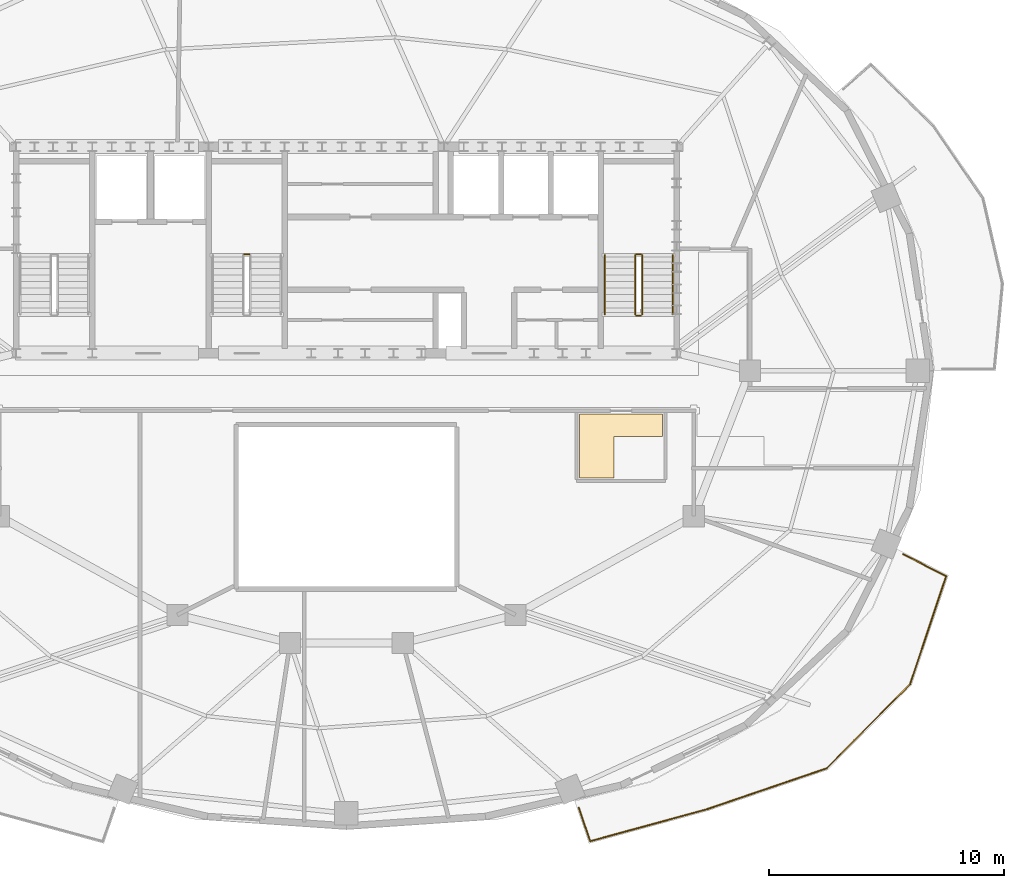
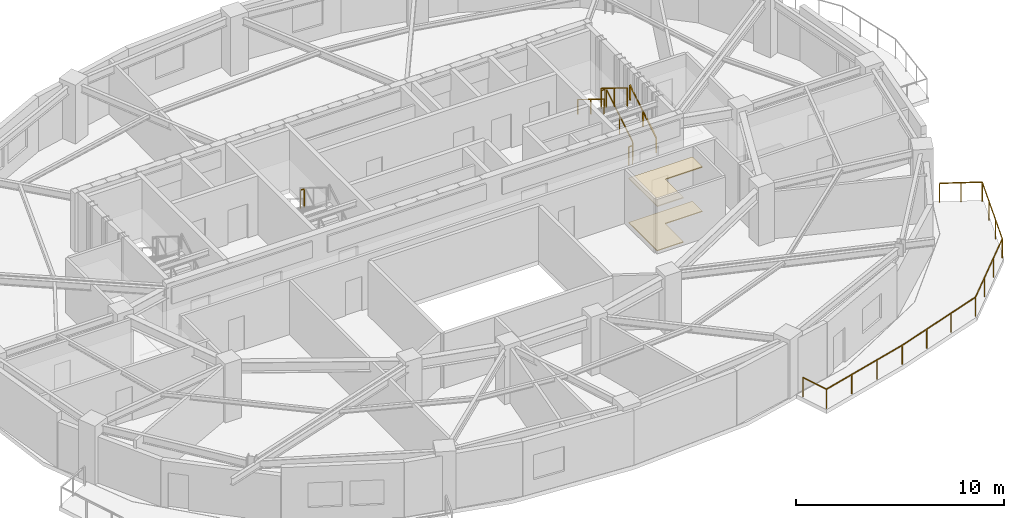
# One storey, part 9 of 10: 8 railings, 2 coverings.
"""IFC4 building model written with IfcOpenShell, lengths in metres."""

from ifc_helpers import new_model, si_unit, direction, frame, origin, origin_2d, place, context, subcontext, project, spatial, polyline, rectangle, outline, extrude, material, layer, layer_set, type_object, element, save


model = new_model("IFC4")

# Units and contexts
model_context = context("Model", 3, precision=1e-05, world=origin(), true_north=direction((0.0, 1.0)))
body_context = subcontext(model_context, "Body", "Model", "MODEL_VIEW")
ifc_project = project(units=[si_unit("LENGTHUNIT", "METRE"), si_unit("AREAUNIT", "SQUARE_METRE"), si_unit("VOLUMEUNIT", "CUBIC_METRE"), si_unit("PLANEANGLEUNIT", "RADIAN"), si_unit("MASSUNIT", "GRAM", prefix="KILO")], contexts=[model_context])

# Site, building, storey
site_placement = place(None, origin())
site = spatial("IfcSite", under=ifc_project, at=site_placement, CompositionType="ELEMENT")
building_placement = place(site_placement, origin())
building = spatial("IfcBuilding", under=site, at=building_placement, Name="Haldorwick Loom Tower", CompositionType="ELEMENT")
storey_placement = place(building_placement, frame((0.0, 0.0, 259.199951171875)))
storey = spatial("IfcBuildingStorey", under=building, at=storey_placement, Name="L70", CompositionType="ELEMENT", Elevation=259.199951171875)

# Coverings
ifc_material_1 = material(Name="Mineral Fibre Acoustic Ceiling Tile")
ifc_layer_1 = layer(ifc_material_1, 0.054931640625, Name="Mineral Fibre Acoustic Ceiling Tile")
ifc_layer_set_1 = layer_set([ifc_layer_1], Name="Mineral Fibre Acoustic Ceiling Tile")
covering_type_1 = type_object("IfcCoveringType", Name="ARC-COV-CEIL2", PredefinedType="CEILING", material=ifc_layer_set_1)
covering_1_placement = place(storey_placement, frame((0.0, 0.0, 2.594970703125)))
element("IfcCovering", 1, at=covering_1_placement, inside=storey, type_object=covering_type_1, Name="L70 Acoustic Suspended Ceiling 2", PredefinedType="CEILING", context=body_context, shape_type="SweptSolid", body=[
    extrude(outline(polyline([(45.929931640625, 24.159912109375), (45.929931640625, 21.429931640625), (47.39990234375, 21.429931640625), (47.39990234375, 23.199951171875), (49.469970703125, 23.199951171875), (49.469970703125, 24.159912109375), (45.929931640625, 24.159912109375)])), origin(), (0.0, 0.0, 1.0), 0.05517578125),
])
ifc_material_2 = material(Name="Polished Aggregate Terrazzo Finish")
ifc_layer_2 = layer(ifc_material_2, 0.044921875, Name="Polished Aggregate Terrazzo Finish")
ifc_layer_set_2 = layer_set([ifc_layer_2], Name="Polished Aggregate Terrazzo Finish")
covering_type_2 = type_object("IfcCoveringType", Name="ARC-COV-FLOOR2", PredefinedType="FLOORING", material=ifc_layer_set_2)
covering_2_placement = place(storey_placement, origin())
element("IfcCovering", 2, at=covering_2_placement, inside=storey, type_object=covering_type_2, Name="L70 Floor Finish 2", PredefinedType="FLOORING", context=body_context, shape_type="SweptSolid", body=[
    extrude(outline(polyline([(45.929931640625, 24.159912109375), (45.929931640625, 21.429931640625), (47.39990234375, 21.429931640625), (47.39990234375, 23.199951171875), (49.469970703125, 23.199951171875), (49.469970703125, 24.159912109375), (45.929931640625, 24.159912109375)])), origin(), (0.0, 0.0, 1.0), 0.045166015625),
])

# Railings
ifc_material_3 = material(Name="Galvanized Steel CSA G40.21 350W", Category="steel")
railing_type_1 = type_object("IfcRailingType", Name="ARC-RLG-BAL115", PredefinedType="BALUSTRADE", material=ifc_material_3)
railing_1_placement = place(storey_placement, frame((59.728759765625, 18.17919921875, 0.0)))
element("IfcRailing", 3, at=railing_1_placement, inside=storey, type_object=railing_type_1, Name="L70 Outdoor Terrace Guardrail SLB-L70-BAL_SE-1", PredefinedType="BALUSTRADE", context=body_context, shape_type="SweptSolid", body=[
    extrude(rectangle(XDim=0.048095703125, YDim=0.048095703125, at=origin_2d()), frame((0.0, 0.0, 1.1259765625), z_axis=(0.890345743052, -0.455285029217, 0.0), x_axis=(0.455285029217, 0.890345743052, 0.0)), (0.0, 0.0, 1.0), 2.05224609375),
    extrude(rectangle(XDim=0.048095703125, YDim=0.048095703125, at=origin_2d()), frame((1.8271484375, -0.934326171875, 1.1259765625), z_axis=(-0.317435829882, -0.948279755087, 0.0), x_axis=(0.948279755087, -0.317435829882, 0.0)), (0.0, 0.0, 1.0), 4.84912109375),
    extrude(rectangle(XDim=0.048095703125, YDim=0.048095703125, at=origin_2d()), frame((0.287841796875, -5.53271484375, 1.1259765625), z_axis=(-0.703936868713, -0.710262546433, 0.0), x_axis=(0.710262546433, -0.703936868713, 0.0)), (0.0, 0.0, 1.0), 5.055908203125),
    extrude(rectangle(XDim=0.048095703125, YDim=0.048095703125, at=origin_2d()), frame((-3.271240234375, -9.123779296875, 1.1259765625), z_axis=(-0.946265780919, -0.323389968709, 0.0), x_axis=(0.323389968709, -0.946265780919, 0.0)), (0.0, 0.0, 1.0), 5.351806640625),
    extrude(rectangle(XDim=0.048095703125, YDim=0.048095703125, at=origin_2d()), frame((-8.33544921875, -10.8544921875, 1.1259765625), z_axis=(-0.964413443894, -0.264398769357, 0.0), x_axis=(0.264398769357, -0.964413443894, 0.0)), (0.0, 0.0, 1.0), 5.1904296875),
    extrude(rectangle(XDim=0.048095703125, YDim=0.048095703125, at=origin_2d()), frame((-13.341064453125, -12.226806640625, 1.1259765625), z_axis=(-0.322577679735, 0.946542994553, 0.0), x_axis=(-0.946542994553, -0.322577679735, 0.0)), (0.0, 0.0, 1.0), 1.497802734375),
    extrude(rectangle(XDim=0.0419921875, YDim=0.0419921875, at=origin_2d()), origin(), (0.0, 0.0, 1.0), 1.101806640625),
    extrude(rectangle(XDim=0.0419921875, YDim=0.0419921875, at=origin_2d()), frame((0.91357421875, -0.46728515625, 0.0)), (0.0, 0.0, 1.0), 1.101806640625),
    extrude(rectangle(XDim=0.0419921875, YDim=0.0419921875, at=origin_2d()), frame((1.8271484375, -0.934326171875, 0.0)), (0.0, 0.0, 1.0), 1.101806640625),
    extrude(rectangle(XDim=0.0419921875, YDim=0.0419921875, at=origin_2d()), frame((1.31396484375, -2.467041015625, 0.0)), (0.0, 0.0, 1.0), 1.101806640625),
    extrude(rectangle(XDim=0.0419921875, YDim=0.0419921875, at=origin_2d()), frame((0.801025390625, -4.0, 0.0)), (0.0, 0.0, 1.0), 1.101806640625),
    extrude(rectangle(XDim=0.0419921875, YDim=0.0419921875, at=origin_2d()), frame((0.287841796875, -5.53271484375, 0.0)), (0.0, 0.0, 1.0), 1.101806640625),
    extrude(rectangle(XDim=0.0419921875, YDim=0.0419921875, at=origin_2d()), frame((-0.8984375, -6.729736328125, 0.0)), (0.0, 0.0, 1.0), 1.101806640625),
    extrude(rectangle(XDim=0.0419921875, YDim=0.0419921875, at=origin_2d()), frame((-2.0849609375, -7.9267578125, 0.0)), (0.0, 0.0, 1.0), 1.101806640625),
    extrude(rectangle(XDim=0.0419921875, YDim=0.0419921875, at=origin_2d()), frame((-3.271240234375, -9.123779296875, 0.0)), (0.0, 0.0, 1.0), 1.101806640625),
    extrude(rectangle(XDim=0.0419921875, YDim=0.0419921875, at=origin_2d()), frame((-4.959228515625, -9.70068359375, 0.0)), (0.0, 0.0, 1.0), 1.101806640625),
    extrude(rectangle(XDim=0.0419921875, YDim=0.0419921875, at=origin_2d()), frame((-6.6474609375, -10.277587890625, 0.0)), (0.0, 0.0, 1.0), 1.101806640625),
    extrude(rectangle(XDim=0.0419921875, YDim=0.0419921875, at=origin_2d()), frame((-8.33544921875, -10.8544921875, 0.0)), (0.0, 0.0, 1.0), 1.101806640625),
    extrude(rectangle(XDim=0.0419921875, YDim=0.0419921875, at=origin_2d()), frame((-10.00390625, -11.31201171875, 0.0)), (0.0, 0.0, 1.0), 1.101806640625),
    extrude(rectangle(XDim=0.0419921875, YDim=0.0419921875, at=origin_2d()), frame((-11.672607421875, -11.769287109375, 0.0)), (0.0, 0.0, 1.0), 1.101806640625),
    extrude(rectangle(XDim=0.0419921875, YDim=0.0419921875, at=origin_2d()), frame((-13.341064453125, -12.226806640625, 0.0)), (0.0, 0.0, 1.0), 1.101806640625),
    extrude(rectangle(XDim=0.0419921875, YDim=0.0419921875, at=origin_2d()), frame((-13.82421875, -10.80908203125, 0.0)), (0.0, 0.0, 1.0), 1.101806640625),
])
ifc_material_4 = material(Name="Steel CSA G40.21 350W", Category="steel")
railing_type_2 = type_object("IfcRailingType", Name="ARC-RLG-GUARD112", PredefinedType="GUARDRAIL", material=ifc_material_4)
railing_2_placement = place(storey_placement, frame((48.60009765625, 28.39990234375, 0.172607421875)))
element("IfcRailing", 4, at=railing_2_placement, inside=storey, type_object=railing_type_2, Name="L70 ST-02 stair guard 1", PredefinedType="GUARDRAIL", context=body_context, shape_type="SweptSolid", body=[
    extrude(rectangle(XDim=0.048095703125, YDim=0.048095703125, at=origin_2d()), frame((0.0, 0.0, 1.076171875), z_axis=(0.0, 0.851400495292, 0.524516154772), x_axis=(-1.0, 0.0, 0.0)), (0.0, 0.0, 1.0), 2.9599609375),
    extrude(rectangle(XDim=0.0419921875, YDim=0.0419921875, at=origin_2d()), origin(), (0.0, 0.0, 1.0), 1.052001953125),
    extrude(rectangle(XDim=0.0419921875, YDim=0.0419921875, at=origin_2d()), frame((0.0, 1.260009765625, 0.7763671875)), (0.0, 0.0, 1.0), 1.052001953125),
    extrude(rectangle(XDim=0.0419921875, YDim=0.0419921875, at=origin_2d()), frame((0.0, 2.52001953125, 1.552490234375)), (0.0, 0.0, 1.0), 1.052001953125),
])
railing_3_placement = place(storey_placement, frame((48.550048828125, 30.969970703125, 1.72509765625)))
element("IfcRailing", 5, at=railing_3_placement, inside=storey, type_object=railing_type_2, Name="L70 ST-02 stair guard 2", PredefinedType="GUARDRAIL", context=body_context, shape_type="SweptSolid", body=[
    extrude(rectangle(XDim=0.048095703125, YDim=0.048095703125, at=origin_2d()), frame((0.0, 0.0, 1.076171875), z_axis=(-1.0, 0.0, 0.0), x_axis=(0.0, -1.0, 0.0)), (0.0, 0.0, 1.0), 0.199951171875),
    extrude(rectangle(XDim=0.0419921875, YDim=0.0419921875, at=origin_2d()), origin(), (0.0, 0.0, 1.0), 1.052001953125),
    extrude(rectangle(XDim=0.0419921875, YDim=0.0419921875, at=origin_2d()), frame((-0.199951171875, 0.0, 0.0)), (0.0, 0.0, 1.0), 1.052001953125),
])
railing_4_placement = place(storey_placement, frame((48.300048828125, 30.919921875, 1.8974609375)))
element("IfcRailing", 6, at=railing_4_placement, inside=storey, type_object=railing_type_2, Name="L70 ST-02 stair guard 3", PredefinedType="GUARDRAIL", context=body_context, shape_type="SweptSolid", body=[
    extrude(rectangle(XDim=0.048095703125, YDim=0.048095703125, at=origin_2d()), frame((0.0, 0.0, 1.076171875), z_axis=(0.0, -0.851400495292, 0.524516154772), x_axis=(1.0, 0.0, 0.0)), (0.0, 0.0, 1.0), 2.9599609375),
    extrude(rectangle(XDim=0.0419921875, YDim=0.0419921875, at=origin_2d()), origin(), (0.0, 0.0, 1.0), 1.052001953125),
    extrude(rectangle(XDim=0.0419921875, YDim=0.0419921875, at=origin_2d()), frame((0.0, -1.260009765625, 0.7763671875)), (0.0, 0.0, 1.0), 1.052001953125),
    extrude(rectangle(XDim=0.0419921875, YDim=0.0419921875, at=origin_2d()), frame((0.0, -2.52001953125, 1.552490234375)), (0.0, 0.0, 1.0), 1.052001953125),
])
railing_5_placement = place(storey_placement, frame((48.550048828125, 28.35009765625, 0.0)))
element("IfcRailing", 7, at=railing_5_placement, inside=storey, type_object=railing_type_2, Name="L70 ST-02 stair guard 4", PredefinedType="GUARDRAIL", context=body_context, shape_type="SweptSolid", body=[
    extrude(rectangle(XDim=0.048095703125, YDim=0.048095703125, at=origin_2d()), frame((0.0, 0.0, 1.076171875), z_axis=(-1.0, 0.0, 0.0), x_axis=(0.0, -1.0, 0.0)), (0.0, 0.0, 1.0), 0.199951171875),
    extrude(rectangle(XDim=0.0419921875, YDim=0.0419921875, at=origin_2d()), origin(), (0.0, 0.0, 1.0), 1.052001953125),
    extrude(rectangle(XDim=0.0419921875, YDim=0.0419921875, at=origin_2d()), frame((-0.199951171875, 0.0, 0.0)), (0.0, 0.0, 1.0), 1.052001953125),
])
railing_6_placement = place(storey_placement, frame((31.85009765625, 30.969970703125, 1.72509765625)))
element("IfcRailing", 8, at=railing_6_placement, inside=storey, type_object=railing_type_2, Name="L70 ST-03 stair guard 2", PredefinedType="GUARDRAIL", context=body_context, shape_type="SweptSolid", body=[
    extrude(rectangle(XDim=0.048095703125, YDim=0.048095703125, at=origin_2d()), frame((0.0, 0.0, 1.076171875), z_axis=(-1.0, 0.0, 0.0), x_axis=(0.0, -1.0, 0.0)), (0.0, 0.0, 1.0), 0.2001953125),
    extrude(rectangle(XDim=0.0419921875, YDim=0.0419921875, at=origin_2d()), origin(), (0.0, 0.0, 1.0), 1.052001953125),
    extrude(rectangle(XDim=0.0419921875, YDim=0.0419921875, at=origin_2d()), frame((-0.2001953125, 0.0, 0.0)), (0.0, 0.0, 1.0), 1.052001953125),
])
railing_type_3 = type_object("IfcRailingType", Name="ARC-RLG-HAND092", PredefinedType="HANDRAIL", material=ifc_material_4)
railing_7_placement = place(storey_placement, frame((49.89990234375, 28.39990234375, 0.172607421875)))
element("IfcRailing", 9, at=railing_7_placement, inside=storey, type_object=railing_type_3, Name="L70 ST-02 stair handrail 1", PredefinedType="HANDRAIL", context=body_context, shape_type="SweptSolid", body=[
    extrude(rectangle(XDim=0.048095703125, YDim=0.048095703125, at=origin_2d()), frame((0.0, 0.0, 0.8759765625), z_axis=(0.0, 0.851400495292, 0.524516154772), x_axis=(-1.0, 0.0, 0.0)), (0.0, 0.0, 1.0), 2.9599609375),
    extrude(rectangle(XDim=0.0419921875, YDim=0.0419921875, at=origin_2d()), origin(), (0.0, 0.0, 1.0), 0.851806640625),
    extrude(rectangle(XDim=0.0419921875, YDim=0.0419921875, at=origin_2d()), frame((0.0, 1.260009765625, 0.7763671875)), (0.0, 0.0, 1.0), 0.851806640625),
    extrude(rectangle(XDim=0.0419921875, YDim=0.0419921875, at=origin_2d()), frame((0.0, 2.52001953125, 1.552490234375)), (0.0, 0.0, 1.0), 0.851806640625),
])
railing_8_placement = place(storey_placement, frame((47.0, 30.919921875, 1.8974609375)))
element("IfcRailing", 10, at=railing_8_placement, inside=storey, type_object=railing_type_3, Name="L70 ST-02 stair handrail 2", PredefinedType="HANDRAIL", context=body_context, shape_type="SweptSolid", body=[
    extrude(rectangle(XDim=0.048095703125, YDim=0.048095703125, at=origin_2d()), frame((0.0, 0.0, 0.8759765625), z_axis=(0.0, -0.851400495292, 0.524516154772), x_axis=(1.0, 0.0, 0.0)), (0.0, 0.0, 1.0), 2.9599609375),
    extrude(rectangle(XDim=0.0419921875, YDim=0.0419921875, at=origin_2d()), origin(), (0.0, 0.0, 1.0), 0.851806640625),
    extrude(rectangle(XDim=0.0419921875, YDim=0.0419921875, at=origin_2d()), frame((0.0, -1.260009765625, 0.7763671875)), (0.0, 0.0, 1.0), 0.851806640625),
    extrude(rectangle(XDim=0.0419921875, YDim=0.0419921875, at=origin_2d()), frame((0.0, -2.52001953125, 1.552490234375)), (0.0, 0.0, 1.0), 0.851806640625),
])

save(model, "model.ifc")
